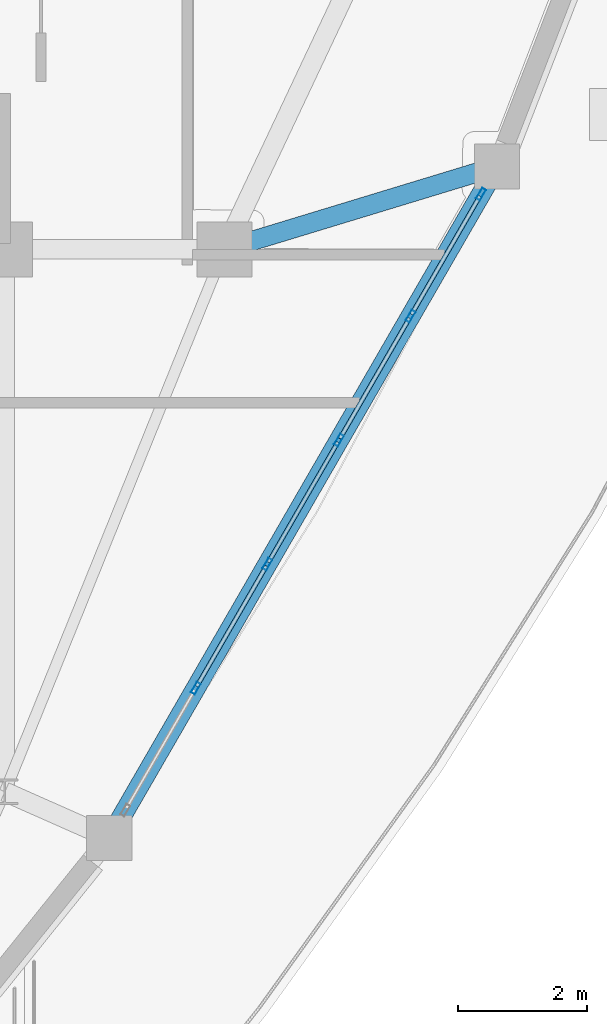
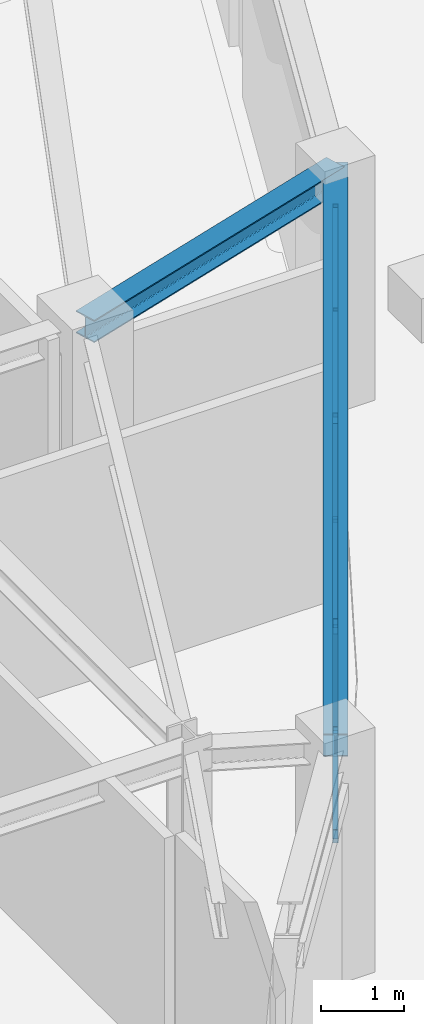
# One storey, part 7 of 16: 14 members, 2 beams, 1 element without a shape of its own.
"""IFC4 building model written with IfcOpenShell, lengths in metres."""

from ifc_helpers import new_model, si_unit, derived_unit, direction, frame, origin, origin_2d, place, context, subcontext, project, spatial, hollow_rectangle, i_section, extrude, source, transform, mapped, material, layer, layer_set, material_profile, profile_set, type_object, element, aggregate, save


model = new_model("IFC4")

# Units and contexts
model_context = context("Model", 3, precision=1e-05, world=origin(), true_north=direction((0.0, 1.0)))
body_context = subcontext(model_context, "Body", "Model", "MODEL_VIEW")
ifc_project = project(units=[si_unit("LENGTHUNIT", "METRE"), si_unit("AREAUNIT", "SQUARE_METRE"), si_unit("VOLUMEUNIT", "CUBIC_METRE"), si_unit("PLANEANGLEUNIT", "RADIAN"), si_unit("MASSUNIT", "GRAM", prefix="KILO"), derived_unit("THERMALTRANSMITTANCEUNIT", [(si_unit("POWERUNIT", "WATT"), 1), (si_unit("LENGTHUNIT", "METRE"), -2), (si_unit("THERMODYNAMICTEMPERATUREUNIT", "KELVIN"), -1)])], contexts=[model_context])

# Site, building, storey
site_placement = place(None, origin())
site = spatial("IfcSite", under=ifc_project, at=site_placement, CompositionType="ELEMENT")
building_placement = place(site_placement, origin())
building = spatial("IfcBuilding", under=site, at=building_placement, Name="Korsvarv Bourse and Concert Hall", CompositionType="ELEMENT")
storey_placement = place(building_placement, frame((0.0, 0.0, 243.0)))
storey = spatial("IfcBuildingStorey", under=building, at=storey_placement, Name="L63", CompositionType="ELEMENT", Elevation=243.0)

# Beams
ifc_material_1 = material(Name="Steel S355", Category="steel")
ifc_material_profile_1 = material_profile(ifc_material_1, i_section(OverallWidth=0.300048828125, OverallDepth=0.330078125, WebThickness=0.009521484375, FlangeThickness=0.0166015625, FilletRadius=0.02099609375, at=origin_2d()), Name="HEA 340")
ifc_profile_set_1 = profile_set([ifc_material_profile_1], Name="Steel S355")
beam_type = type_object("IfcBeamType", Name="BM-HEA340", PredefinedType="BEAM", material=ifc_profile_set_1)
shared_shape_1 = source(origin(), body_context, "Body", "SweptSolid", [
    extrude(i_section(OverallWidth=0.300048828125, OverallDepth=0.330078125, WebThickness=0.009521484375, FlangeThickness=0.0166015625, FilletRadius=0.02099609375, at=origin_2d()), origin(), (0.0, 0.0, 1.0), 12.0087890625),
])
beam_1_placement = place(storey_placement, frame((46.0166015625, 23.28369140625, 3.2451171875), z_axis=(0.500000506726, 0.866025111226, 0.0), x_axis=(-0.866025111226, 0.500000506726, 0.0)))
element("IfcBeam", 1, at=beam_1_placement, inside=storey, type_object=beam_type, Name="L63 beam B-12", PredefinedType="BEAM", context=body_context, shape_type="MappedRepresentation", body=[
    mapped(shared_shape_1, transform((0.0, 0.0, 0.0), scale=1.0)),
])
shared_shape_2 = source(origin(), body_context, "Body", "SweptSolid", [
    extrude(i_section(OverallWidth=0.300048828125, OverallDepth=0.330078125, WebThickness=0.009521484375, FlangeThickness=0.0166015625, FilletRadius=0.02099609375, at=origin_2d()), origin(), (0.0, 0.0, 1.0), 4.411865234375),
])
beam_2_placement = place(storey_placement, frame((52.02099609375, 33.68359375, 3.2451171875), z_axis=(-0.956733506354, -0.290965629962, 0.0), x_axis=(0.290965629962, -0.956733506354, 0.0)))
element("IfcBeam", 2, at=beam_2_placement, inside=storey, type_object=beam_type, Name="L63 beam B-12", PredefinedType="BEAM", context=body_context, shape_type="MappedRepresentation", body=[
    mapped(shared_shape_2, transform((0.0, 0.0, 0.0), scale=1.0)),
])

# Curtain wall, members
ifc_material_2 = material(Name="Anodised aluminium and triple low-E glazing", Category="glass")
ifc_layer = layer(ifc_material_2, 0.199951171875)
ifc_layer_set = layer_set([ifc_layer], Name="Anodised aluminium and triple low-E glazing")
curtain_wall_type = type_object("IfcCurtainWallType", Name="CW-SYS-3", PredefinedType="NOTDEFINED", material=ifc_layer_set)
curtain_wall_placement = place(storey_placement, origin())
curtain_wall = element("IfcCurtainWall", 3, at=curtain_wall_placement, inside=storey, type_object=curtain_wall_type, Name="L63 CW3 curtain wall CW-L63-F11", PredefinedType="NOTDEFINED")
ifc_material_3 = material(Name="Extruded aluminium EN AW-6063 T66", Category="aluminium")
ifc_material_profile_2 = material_profile(ifc_material_3, hollow_rectangle(XDim=0.06494140625, YDim=0.1650390625, WallThickness=0.0048828125, at=origin_2d()), Name="ALU-M 65x165")
ifc_profile_set_2 = profile_set([ifc_material_profile_2], Name="Extruded aluminium EN AW-6063 T66")
member_type_1 = type_object("IfcMemberType", Name="CWM-165", PredefinedType="MULLION", material=ifc_profile_set_2)
shared_shape_3 = source(origin(), body_context, "Body", "SweptSolid", [
    extrude(hollow_rectangle(XDim=0.06494140625, YDim=0.1650390625, WallThickness=0.0048828125, at=origin_2d()), origin(), (0.0, 0.0, 1.0), 3.6484375),
])
member_1_placement = place(storey_placement, frame((48.48193359375, 27.553955078125, 0.06494140625), z_axis=(0.294223355119, 0.509621349235, 0.808528724107), x_axis=(-0.866030310389, 0.499991501415, 0.0)))
member_1 = element("IfcMember", 4, at=member_1_placement, type_object=member_type_1, Name="CW3 diagonal mullion 3", PredefinedType="MULLION", context=body_context, shape_type="MappedRepresentation", body=[
    mapped(shared_shape_3, transform((0.0, 0.0, 0.0), scale=1.0)),
])
ifc_material_profile_3 = material_profile(ifc_material_3, hollow_rectangle(XDim=0.070068359375, YDim=0.18994140625, WallThickness=0.0048828125, at=origin_2d()), Name="ALU-M 70x190")
ifc_profile_set_3 = profile_set([ifc_material_profile_3], Name="Extruded aluminium EN AW-6063 T66")
member_type_2 = type_object("IfcMemberType", Name="CWM-190", PredefinedType="MULLION", material=ifc_profile_set_3)
shared_shape_4 = source(origin(), body_context, "Body", "SweptSolid", [
    extrude(hollow_rectangle(XDim=0.070068359375, YDim=0.18994140625, WallThickness=0.0048828125, at=origin_2d()), origin(), (0.0, 0.0, 1.0), 3.080078125),
])
member_2_placement = place(storey_placement, frame((47.35595703125, 25.603759765625, 0.0), z_axis=(0.0, 0.0, 1.0), x_axis=(-0.866021686907, 0.500006437765, 0.0)))
member_2 = element("IfcMember", 5, at=member_2_placement, type_object=member_type_2, Name="CW3 mullion 2", PredefinedType="MULLION", context=body_context, shape_type="MappedRepresentation", body=[
    mapped(shared_shape_4, transform((0.0, 0.0, 0.0), scale=1.0)),
])
member_3_placement = place(storey_placement, frame((48.46435546875, 27.523681640625, 0.0), z_axis=(0.0, 0.0, 1.0), x_axis=(-0.866021686907, 0.500006437765, 0.0)))
member_3 = element("IfcMember", 6, at=member_3_placement, type_object=member_type_2, Name="CW3 mullion 3", PredefinedType="MULLION", context=body_context, shape_type="MappedRepresentation", body=[
    mapped(shared_shape_4, transform((0.0, 0.0, 0.0), scale=1.0)),
])
member_4_placement = place(storey_placement, frame((49.572998046875, 29.443603515625, 0.0), z_axis=(0.0, 0.0, 1.0), x_axis=(-0.866021686907, 0.500006437765, 0.0)))
member_4 = element("IfcMember", 7, at=member_4_placement, type_object=member_type_2, Name="CW3 mullion 4", PredefinedType="MULLION", context=body_context, shape_type="MappedRepresentation", body=[
    mapped(shared_shape_4, transform((0.0, 0.0, 0.0), scale=1.0)),
])
member_5_placement = place(storey_placement, frame((50.681396484375, 31.363525390625, 0.0), z_axis=(0.0, 0.0, 1.0), x_axis=(-0.866021686907, 0.500006437765, 0.0)))
member_5 = element("IfcMember", 8, at=member_5_placement, type_object=member_type_2, Name="CW3 mullion 5", PredefinedType="MULLION", context=body_context, shape_type="MappedRepresentation", body=[
    mapped(shared_shape_4, transform((0.0, 0.0, 0.0), scale=1.0)),
])
member_6_placement = place(storey_placement, frame((51.7724609375, 33.253173828125, 0.0), z_axis=(0.0, 0.0, 1.0), x_axis=(-0.866021686907, 0.500006437765, 0.0)))
member_6 = element("IfcMember", 9, at=member_6_placement, type_object=member_type_2, Name="CW3 mullion 6", PredefinedType="MULLION", context=body_context, shape_type="MappedRepresentation", body=[
    mapped(shared_shape_4, transform((0.0, 0.0, 0.0), scale=1.0)),
])
ifc_material_profile_4 = material_profile(ifc_material_3, hollow_rectangle(XDim=0.06494140625, YDim=0.139892578125, WallThickness=0.00390625, at=origin_2d()), Name="ALU-T 65x140")
ifc_profile_set_4 = profile_set([ifc_material_profile_4], Name="Extruded aluminium EN AW-6063 T66")
member_type_3 = type_object("IfcMemberType", Name="CWT-140", PredefinedType="USERDEFINED", material=ifc_profile_set_4)
shared_shape_5 = source(origin(), body_context, "Body", "SweptSolid", [
    extrude(hollow_rectangle(XDim=0.06494140625, YDim=0.139892578125, WallThickness=0.00390625, at=origin_2d()), origin(), (0.0, 0.0, 1.0), 2.11181640625),
])
member_7_placement = place(storey_placement, frame((50.698974609375, 31.39404296875, 0.032470703125), z_axis=(0.500005994294, 0.86602194295, 0.0), x_axis=(-0.86602194295, 0.500005994294, 0.0)))
member_7 = element("IfcMember", 10, at=member_7_placement, type_object=member_type_3, Name="CW3 transom 5.1", ObjectType="TRANSOM", PredefinedType="USERDEFINED", context=body_context, shape_type="MappedRepresentation", body=[
    mapped(shared_shape_5, transform((0.0, 0.0, 0.0), scale=1.0)),
])
member_8_placement = place(storey_placement, frame((50.698974609375, 31.39404296875, 3.047607421875), z_axis=(0.500005994294, 0.86602194295, 0.0), x_axis=(-0.86602194295, 0.500005994294, 0.0)))
member_8 = element("IfcMember", 11, at=member_8_placement, type_object=member_type_3, Name="CW3 transom 5.2", ObjectType="TRANSOM", PredefinedType="USERDEFINED", context=body_context, shape_type="MappedRepresentation", body=[
    mapped(shared_shape_5, transform((0.0, 0.0, 0.0), scale=1.0)),
])
shared_shape_6 = source(origin(), body_context, "Body", "SweptSolid", [
    extrude(hollow_rectangle(XDim=0.06494140625, YDim=0.139892578125, WallThickness=0.00390625, at=origin_2d()), origin(), (0.0, 0.0, 1.0), 2.14697265625),
])
member_9_placement = place(storey_placement, frame((47.37353515625, 25.634033203125, 0.032470703125), z_axis=(0.499991501415, 0.866030310389, 0.0), x_axis=(-0.866030310389, 0.499991501415, 0.0)))
member_9 = element("IfcMember", 12, at=member_9_placement, type_object=member_type_3, Name="CW3 transom 2.1", ObjectType="TRANSOM", PredefinedType="USERDEFINED", context=body_context, shape_type="MappedRepresentation", body=[
    mapped(shared_shape_6, transform((0.0, 0.0, 0.0), scale=1.0)),
])
member_10_placement = place(storey_placement, frame((47.37353515625, 25.634033203125, 3.047607421875), z_axis=(0.499991501415, 0.866030310389, 0.0), x_axis=(-0.866030310389, 0.499991501415, 0.0)))
member_10 = element("IfcMember", 13, at=member_10_placement, type_object=member_type_3, Name="CW3 transom 2.2", ObjectType="TRANSOM", PredefinedType="USERDEFINED", context=body_context, shape_type="MappedRepresentation", body=[
    mapped(shared_shape_6, transform((0.0, 0.0, 0.0), scale=1.0)),
])
member_11_placement = place(storey_placement, frame((48.48193359375, 27.553955078125, 0.032470703125), z_axis=(0.499991501415, 0.866030310389, 0.0), x_axis=(-0.866030310389, 0.499991501415, 0.0)))
member_11 = element("IfcMember", 14, at=member_11_placement, type_object=member_type_3, Name="CW3 transom 3.1", ObjectType="TRANSOM", PredefinedType="USERDEFINED", context=body_context, shape_type="MappedRepresentation", body=[
    mapped(shared_shape_6, transform((0.0, 0.0, 0.0), scale=1.0)),
])
member_12_placement = place(storey_placement, frame((48.48193359375, 27.553955078125, 3.047607421875), z_axis=(0.499991501415, 0.866030310389, 0.0), x_axis=(-0.866030310389, 0.499991501415, 0.0)))
member_12 = element("IfcMember", 15, at=member_12_placement, type_object=member_type_3, Name="CW3 transom 3.2", ObjectType="TRANSOM", PredefinedType="USERDEFINED", context=body_context, shape_type="MappedRepresentation", body=[
    mapped(shared_shape_6, transform((0.0, 0.0, 0.0), scale=1.0)),
])
member_13_placement = place(storey_placement, frame((49.590576171875, 29.473876953125, 0.032470703125), z_axis=(0.499991501415, 0.866030310389, 0.0), x_axis=(-0.866030310389, 0.499991501415, 0.0)))
member_13 = element("IfcMember", 16, at=member_13_placement, type_object=member_type_3, Name="CW3 transom 4.1", ObjectType="TRANSOM", PredefinedType="USERDEFINED", context=body_context, shape_type="MappedRepresentation", body=[
    mapped(shared_shape_6, transform((0.0, 0.0, 0.0), scale=1.0)),
])
member_14_placement = place(storey_placement, frame((49.590576171875, 29.473876953125, 3.047607421875), z_axis=(0.499991501415, 0.866030310389, 0.0), x_axis=(-0.866030310389, 0.499991501415, 0.0)))
member_14 = element("IfcMember", 17, at=member_14_placement, type_object=member_type_3, Name="CW3 transom 4.2", ObjectType="TRANSOM", PredefinedType="USERDEFINED", context=body_context, shape_type="MappedRepresentation", body=[
    mapped(shared_shape_6, transform((0.0, 0.0, 0.0), scale=1.0)),
])
aggregate(curtain_wall, [member_2, member_3, member_4, member_5, member_6, member_9, member_10, member_11, member_12, member_1, member_13, member_14, member_7, member_8])

save(model, "model.ifc")
